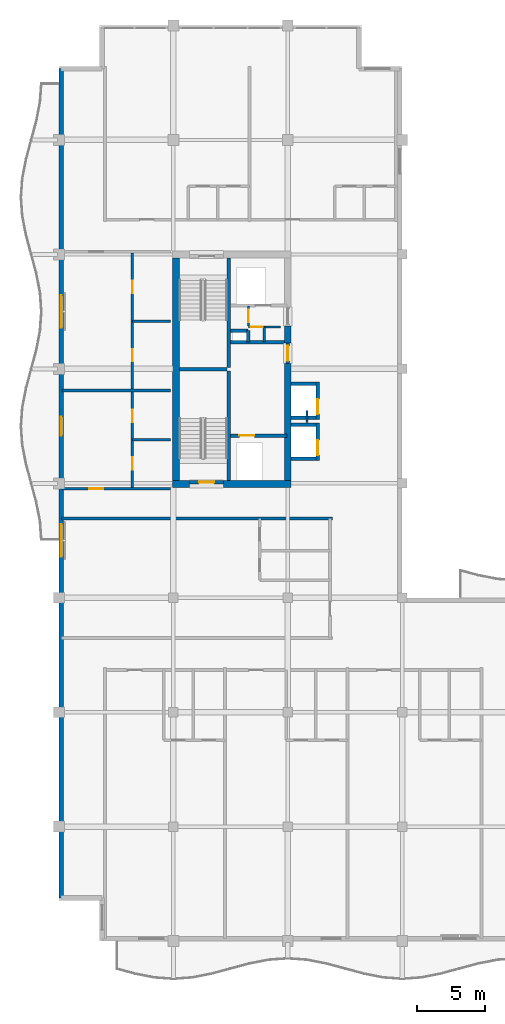
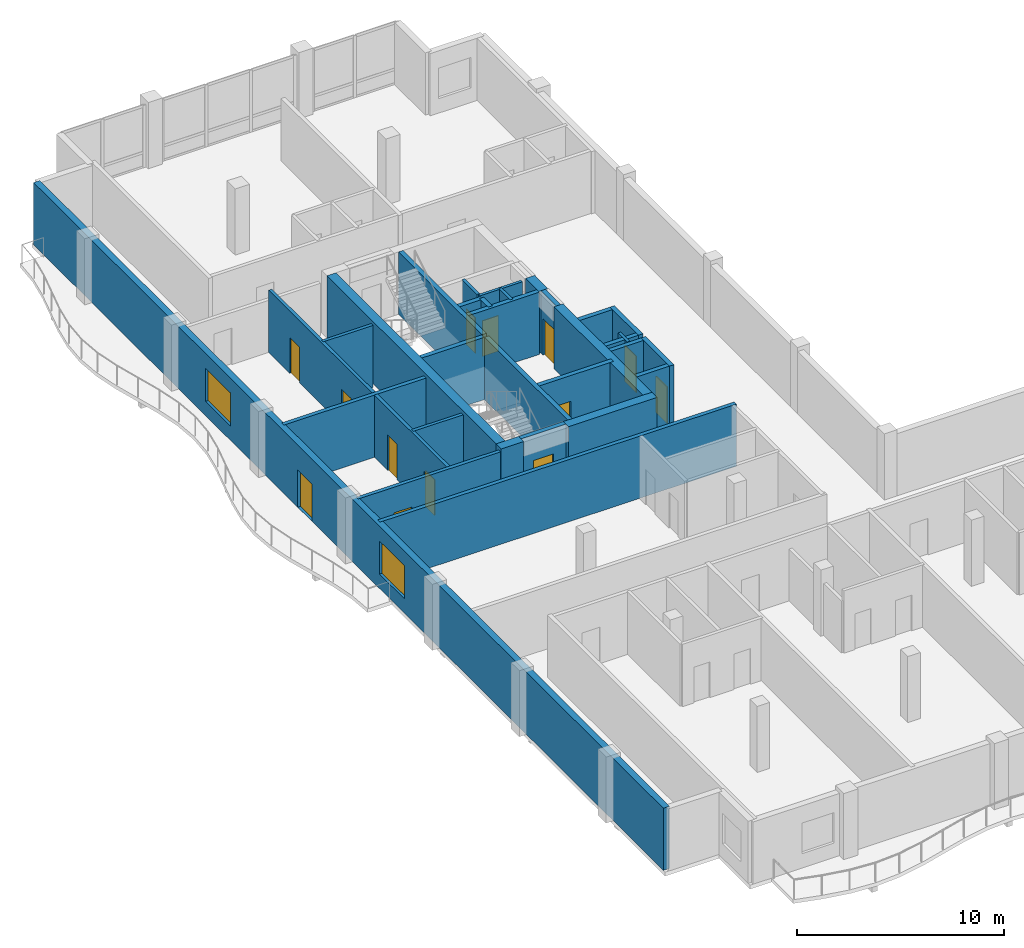
# One storey, part 8 of 15: 32 walls, 13 doors, 2 windows, 15 openings.
"""IFC4 building model written with IfcOpenShell, lengths in metres."""

import ifcopenshell
import ifcopenshell.guid

model = None  # the IFC model being written
_history = None  # IfcOwnerHistory: only IFC2X3 demands one
_inside = {}  # id of a spatial element -> (the spatial element, [elements in it])
_under = {}  # id of a project, library or spatial element -> (it, [spatial elements below it])
_declared = {}  # id of a project -> (the project, [libraries it declares])
_typed = {}  # id of a type object -> (the type object, [elements of that type])
_made_of = {}  # id of a material, layer set ... -> (it, [elements and type objects made of it])


def new_model(schema):
    """Start an empty IFC model of exactly this schema.

    Asked for "IFC4X3", IfcOpenShell would pick the latest addendum, in which some entities
    have other attributes; the version numbers below select the first issue.
    IFC2X3 requires an IfcOwnerHistory on every rooted entity: one is made here for all.
    """
    global model, _history
    if schema == "IFC4X3":
        model = ifcopenshell.file(schema_version=(4, 3, 0, 0))
    else:
        model = ifcopenshell.file(schema=schema)
    _inside.clear()
    _under.clear()
    _declared.clear()
    _typed.clear()
    _made_of.clear()
    _history = None
    if model.schema == "IFC2X3":
        org = make("IfcOrganization", Name="unknown")
        user = make(
            "IfcPersonAndOrganization",
            ThePerson=make("IfcPerson", FamilyName="unknown"),
            TheOrganization=org,
        )
        app = make(
            "IfcApplication",
            ApplicationDeveloper=org,
            Version="unknown",
            ApplicationFullName="unknown",
            ApplicationIdentifier="unknown",
        )
        _history = make(
            "IfcOwnerHistory",
            OwningUser=user,
            OwningApplication=app,
            ChangeAction="ADDED",
            CreationDate=0,
        )
    return model


def make(cls, **values):
    """One entity of the class cls with the attributes given. An attribute that is None is left unset."""
    return model.create_entity(
        cls, **{name: value for name, value in values.items() if value is not None}
    )


def rooted(cls, **values):
    """An entity with a GlobalId (a new one), such as an element, a storey or a relation."""
    return make(cls, GlobalId=ifcopenshell.guid.new(), OwnerHistory=_history, **values)


def si_unit(unit_type, name, prefix=None):
    """IfcSIUnit, for example si_unit("LENGTHUNIT", "METRE", prefix="MILLI")."""
    return make("IfcSIUnit", UnitType=unit_type, Prefix=prefix, Name=name)


def assignment(units):
    """IfcUnitAssignment: the units of a project."""
    return None if units is None else make("IfcUnitAssignment", Units=units)


def point(xyz):
    """IfcCartesianPoint."""
    return None if xyz is None else make("IfcCartesianPoint", Coordinates=xyz)


def direction(xyz):
    """IfcDirection."""
    return None if xyz is None else make("IfcDirection", DirectionRatios=xyz)


def frame(location, z_axis=None, x_axis=None):
    """IfcAxis2Placement3D, a coordinate frame: its origin and axes. An axis left out is left unset."""
    return make(
        "IfcAxis2Placement3D",
        Location=point(location),
        Axis=direction(z_axis),
        RefDirection=direction(x_axis),
    )


def frame_2d(location, x_axis=None):
    """IfcAxis2Placement2D, a coordinate frame in the plane: its origin and x axis."""
    return make(
        "IfcAxis2Placement2D", Location=point(location), RefDirection=direction(x_axis)
    )


def origin():
    """The frame at (0, 0, 0) with its axes left unset."""
    return frame((0.0, 0.0, 0.0))


def place(relative_to, where):
    """IfcLocalPlacement: puts the frame where relative to a parent placement (None: the world)."""
    return make(
        "IfcLocalPlacement", PlacementRelTo=relative_to, RelativePlacement=where
    )


def context(
    kind, dimensions, precision=None, world=None, true_north=None, identifier=None
):
    """IfcGeometricRepresentationContext, for example the 3D "Model" context."""
    return make(
        "IfcGeometricRepresentationContext",
        ContextIdentifier=identifier,
        ContextType=kind,
        CoordinateSpaceDimension=dimensions,
        Precision=precision,
        WorldCoordinateSystem=world,
        TrueNorth=true_north,
    )


def subcontext(parent, identifier, kind, view, scale=None):
    """IfcGeometricRepresentationSubContext, for example "Body" below "Model"."""
    return make(
        "IfcGeometricRepresentationSubContext",
        ContextIdentifier=identifier,
        ContextType=kind,
        ParentContext=parent,
        TargetScale=scale,
        TargetView=view,
    )


def project(units=None, contexts=None):
    """IfcProject with its units and contexts."""
    return rooted(
        "IfcProject",
        Name="project",
        RepresentationContexts=contexts,
        UnitsInContext=assignment(units),
    )


def spatial(cls, under=None, at=None, **own):
    """A site, building, storey or space (cls), placed at a placement, below another one or the project."""
    s = rooted(cls, ObjectPlacement=at, **own)
    if under is not None:
        _under.setdefault(under.id(), (under, []))[1].append(s)
    return s


def profile(cls, at=None, kind="AREA", **sizes):
    """A parametric profile (cls). Its sizes go by their IFC names, for example OverallWidth=200.0."""
    return make(cls, ProfileType=kind, Position=at, **sizes)


def rectangle(**sizes):
    """IfcRectangleProfileDef."""
    return profile("IfcRectangleProfileDef", **sizes)


def extrude(swept, where, along, depth):
    """IfcExtrudedAreaSolid: the profile swept, set in the frame where, extruded along a direction by depth."""
    return make(
        "IfcExtrudedAreaSolid",
        SweptArea=swept,
        Position=where,
        ExtrudedDirection=direction(along),
        Depth=depth,
    )


def shape(context_of_items, identifier, shape_type, items):
    """IfcShapeRepresentation: the items that make up one representation, for example the "Body"."""
    return make(
        "IfcShapeRepresentation",
        ContextOfItems=context_of_items,
        RepresentationIdentifier=identifier,
        RepresentationType=shape_type,
        Items=items,
    )


def material(Name=None, Category=None):
    """IfcMaterial."""
    return make("IfcMaterial", Name=Name, Category=Category)


def layer(
    of_material, thickness, ventilated=None, Name=None, Category=None, Priority=None
):
    """IfcMaterialLayer: one layer of a wall or slab, of a material (None: an air gap)."""
    return make(
        "IfcMaterialLayer",
        Material=of_material,
        LayerThickness=thickness,
        IsVentilated=ventilated,
        Name=Name,
        Category=Category,
        Priority=Priority,
    )


def layer_set(layers, Name=None):
    """IfcMaterialLayerSet."""
    return make("IfcMaterialLayerSet", MaterialLayers=layers, LayerSetName=Name)


def made_of(thing, what):
    """Note that an element or type object is made of a material, layer set ...; save() writes the relation."""
    if what is not None:
        _made_of.setdefault(what.id(), (what, []))[1].append(thing)
    return thing


def type_object(cls, material=None, **own):
    """A type object (cls), such as IfcWallType, which elements share."""
    return made_of(rooted(cls, **own), material)


def element(
    cls,
    number,
    at=None,
    inside=None,
    cuts=None,
    type_object=None,
    material=None,
    context=None,
    identifier="Body",
    shape_type=None,
    held_by="IfcProductDefinitionShape",
    body=None,
    shapes=None,
    **own,
):
    """One element of the class cls, such as IfcWall. Its Tag is "e" and its number.

    at: its placement. inside: the storey or other place that contains it. cuts: it is an
    opening in that element (IfcRelVoidsElement). A single representation is given by context,
    identifier, shape_type and body (its items); several are given by shapes. held_by: the class
    of the entity that holds the representations. save() writes the other relations.
    """
    e = rooted(cls, Tag="e%d" % number, ObjectPlacement=at, **own)
    if body is not None:
        shapes = [shape(context, identifier, shape_type, body)]
    if shapes is not None:
        e.Representation = make(held_by, Representations=shapes)
    if inside is not None:
        _inside.setdefault(inside.id(), (inside, []))[1].append(e)
    if cuts is not None:
        rooted(
            "IfcRelVoidsElement", RelatingBuildingElement=cuts, RelatedOpeningElement=e
        )
    if type_object is not None:
        _typed.setdefault(type_object.id(), (type_object, []))[1].append(e)
    return made_of(e, material)


def fill(opening, filler):
    """IfcRelFillsElement: the door or window that sits in an opening."""
    return rooted(
        "IfcRelFillsElement",
        RelatingOpeningElement=opening,
        RelatedBuildingElement=filler,
    )


def aggregate(whole, parts):
    """IfcRelAggregates: a whole, such as a stair, and the parts it consists of."""
    return rooted("IfcRelAggregates", RelatingObject=whole, RelatedObjects=parts)


def save(model, path):
    """Write the relations noted so far, then the file.

    IfcRelAggregates (storeys below a building ...), IfcRelContainedInSpatialStructure (elements
    in a storey), IfcRelDefinesByType, IfcRelAssociatesMaterial and IfcRelDeclares: one each for
    every whole, place, type object, material and project.
    """
    for whole, parts in _under.values():
        aggregate(whole, parts)
    for where, things in _inside.values():
        rooted(
            "IfcRelContainedInSpatialStructure",
            RelatedElements=things,
            RelatingStructure=where,
        )
    for kind, things in _typed.values():
        rooted("IfcRelDefinesByType", RelatedObjects=things, RelatingType=kind)
    for what, things in _made_of.values():
        rooted("IfcRelAssociatesMaterial", RelatedObjects=things, RelatingMaterial=what)
    for by, libraries in _declared.values():
        rooted("IfcRelDeclares", RelatingContext=by, RelatedDefinitions=libraries)
    model.write(path)


model = new_model("IFC4")

# Units and contexts
model_context = context("Model", 3, precision=1e-05, world=origin(), true_north=direction((0.0, 1.0)))
body_context = subcontext(model_context, "Body", "Model", "MODEL_VIEW")
ifc_project = project(units=[si_unit("LENGTHUNIT", "METRE"), si_unit("AREAUNIT", "SQUARE_METRE"), si_unit("VOLUMEUNIT", "CUBIC_METRE"), si_unit("PLANEANGLEUNIT", "RADIAN"), si_unit("MASSUNIT", "GRAM", prefix="KILO")], contexts=[model_context])

# Site, building, storey
site_placement = place(None, origin())
site = spatial("IfcSite", under=ifc_project, at=site_placement, CompositionType="ELEMENT")
building_placement = place(site_placement, origin())
building = spatial("IfcBuilding", under=site, at=building_placement, Name="Koriwani Terraces Tower", CompositionType="ELEMENT")
storey_placement = place(building_placement, frame((0.0, 0.0, 300.800048828125)))
storey = spatial("IfcBuildingStorey", under=building, at=storey_placement, Name="L74", CompositionType="ELEMENT", Elevation=300.800048828125)

# Walls
ifc_material_1 = material(Name="Concrete C50/60", Category="concrete")
ifc_layer_1 = layer(ifc_material_1, 0.5, Name="Concrete C50/60")
ifc_layer_set_1 = layer_set([ifc_layer_1], Name="Concrete C50/60")
wall_type_1 = type_object("IfcWallType", Name="WALL_CORE_RC_500", PredefinedType="SHEAR", material=ifc_layer_set_1)
wall_1_placement = place(storey_placement, frame((16.75, 41.949951171875, 0.0), z_axis=(0.0, 0.0, 1.0), x_axis=(1.0, 0.0, 0.0)))
element("IfcWall", 1, at=wall_1_placement, inside=storey, type_object=wall_type_1, Name="L74 West Split Core Shear Wall S1", PredefinedType="SHEAR", context=body_context, shape_type="SweptSolid", body=[
    extrude(rectangle(XDim=1.25, YDim=0.5, at=frame_2d((0.625, 0.0))), origin(), (0.0, 0.0, 1.0), 3.669921875),
])
wall_2_placement = place(storey_placement, frame((20.5, 41.949951171875, 0.0), z_axis=(0.0, 0.0, 1.0), x_axis=(1.0, 0.0, 0.0)))
element("IfcWall", 2, at=wall_2_placement, inside=storey, type_object=wall_type_1, Name="L74 West Split Core Shear Wall S2", PredefinedType="SHEAR", context=body_context, shape_type="SweptSolid", body=[
    extrude(rectangle(XDim=4.949951171875, YDim=0.5, at=frame_2d((2.47509765625, 0.0))), origin(), (0.0, 0.0, 1.0), 3.669921875),
])
wall_3_placement = place(storey_placement, frame((17.0, 42.199951171875, 0.0), z_axis=(0.0, 0.0, 1.0), x_axis=(0.0, 1.0, 0.0)))
element("IfcWall", 3, at=wall_3_placement, inside=storey, type_object=wall_type_1, Name="L74 West Split Core Shear Wall W1", PredefinedType="SHEAR", context=body_context, shape_type="SweptSolid", body=[
    extrude(rectangle(XDim=16.35009765625, YDim=0.5, at=frame_2d((8.175048828125, 0.0))), origin(), (0.0, 0.0, 1.0), 3.669921875),
])
wall_4_placement = place(storey_placement, frame((25.199951171875, 42.199951171875, 0.0), z_axis=(0.0, 0.0, 1.0), x_axis=(0.0, 1.0, 0.0)))
element("IfcWall", 4, at=wall_4_placement, inside=storey, type_object=wall_type_1, Name="L74 West Split Core Shear Wall E1", PredefinedType="SHEAR", context=body_context, shape_type="SweptSolid", body=[
    extrude(rectangle(XDim=8.60009765625, YDim=0.5, at=frame_2d((4.300048828125, 0.0))), origin(), (0.0, 0.0, 1.0), 3.669921875),
])
wall_5_placement = place(storey_placement, frame((25.199951171875, 52.280029296875, 0.0), z_axis=(0.0, 0.0, 1.0), x_axis=(0.0, 1.0, 0.0)))
element("IfcWall", 5, at=wall_5_placement, inside=storey, type_object=wall_type_1, Name="L74 West Split Core Shear Wall E2", PredefinedType="SHEAR", context=body_context, shape_type="SweptSolid", body=[
    extrude(rectangle(XDim=1.27001953125, YDim=0.5, at=frame_2d((0.635009765625, 0.0))), origin(), (0.0, 0.0, 1.0), 3.669921875),
])

# Wall, opening, door
ifc_material_2 = material(Name="Autoclaved Cellular Concrete Blockwork", Category="masonry")
ifc_layer_2 = layer(ifc_material_2, 0.199951171875, Name="Autoclaved Cellular Concrete Blockwork")
ifc_layer_set_2 = layer_set([ifc_layer_2], Name="Autoclaved Cellular Concrete Blockwork")
wall_type_2 = type_object("IfcWallType", Name="WALL_CORRIDOR_200", PredefinedType="PARTITIONING", material=ifc_layer_set_2)
wall_6_placement = place(storey_placement, frame((8.64990234375, 41.60009765625, 0.0), z_axis=(0.0, 0.0, 1.0), x_axis=(1.0, 0.0, 0.0)))
wall_6 = element("IfcWall", 6, at=wall_6_placement, inside=storey, type_object=wall_type_2, Name="L74 Interior Wall WRZ4-WS-L74", PredefinedType="PARTITIONING", context=body_context, shape_type="SweptSolid", body=[
    extrude(rectangle(XDim=7.9501953125, YDim=0.199951171875, at=frame_2d((3.97509765625, 0.0))), origin(), (0.0, 0.0, 1.0), 3.669921875),
])
opening_1_placement = place(wall_6_placement, frame((2.0, 0.0, 0.0)))
opening_1 = element("IfcOpeningElement", 7, at=opening_1_placement, cuts=wall_6, Name="Opening D-05", PredefinedType="OPENING", context=body_context, shape_type="SweptSolid", body=[
    extrude(rectangle(XDim=1.0, YDim=2.14990234375, at=frame_2d((0.5, 1.074951171875))), frame((0.0, 0.10986328125, 0.0), z_axis=(0.0, -1.0, 0.0), x_axis=(1.0, 0.0, 0.0)), (0.0, 0.0, 1.0), 0.219970703125),
])
ifc_material_3 = material(Name="Architectural Oak Fire Door", Category="wood")
door_type_1 = type_object("IfcDoorType", Name="DOOR_SUITE_ENTRY_1000X2150", OperationType="NOTDEFINED", PredefinedType="DOOR", material=ifc_material_3)
door_1_placement = place(opening_1_placement, origin())
door_1 = element("IfcDoor", 8, at=door_1_placement, inside=storey, type_object=door_type_1, Name="Apartment 74RW1 Entrance Door", OperationType="SINGLE_SWING_RIGHT", OverallHeight=2.14990234375, OverallWidth=1.0, PredefinedType="DOOR", context=body_context, shape_type="SweptSolid", body=[
    extrude(rectangle(XDim=1.0, YDim=2.14990234375, at=frame_2d((0.5, 1.074951171875))), frame((0.0, 0.02490234375, 0.0), z_axis=(0.0, -1.0, 0.0), x_axis=(1.0, 0.0, 0.0)), (0.0, 0.0, 1.0), 0.050048828125),
])
fill(opening_1, door_1)

# Walls
ifc_layer_3 = layer(ifc_material_2, 0.219970703125, Name="Autoclaved Cellular Concrete Blockwork")
ifc_layer_set_3 = layer_set([ifc_layer_3], Name="Autoclaved Cellular Concrete Blockwork")
wall_type_3 = type_object("IfcWallType", Name="WALL_DEMISING_220", PredefinedType="PARTITIONING", material=ifc_layer_set_3)
wall_7_placement = place(storey_placement, frame((8.64990234375, 48.800048828125, 0.0), z_axis=(0.0, 0.0, 1.0), x_axis=(1.0, 0.0, 0.0)))
element("IfcWall", 9, at=wall_7_placement, inside=storey, type_object=wall_type_3, Name="L74 Interior Wall WRZ4-WM-L74", PredefinedType="PARTITIONING", context=body_context, shape_type="SweptSolid", body=[
    extrude(rectangle(XDim=7.9501953125, YDim=0.219970703125, at=frame_2d((3.97509765625, 0.0))), origin(), (0.0, 0.0, 1.0), 3.669921875),
])
wall_8_placement = place(storey_placement, frame((8.60009765625, 39.39990234375, 0.0), z_axis=(0.0, 0.0, 1.0), x_axis=(1.0, 0.0, 0.0)))
element("IfcWall", 10, at=wall_8_placement, inside=storey, type_object=wall_type_3, Name="L74 Interior Wall WRDEME-L74-NE", PredefinedType="PARTITIONING", context=body_context, shape_type="SweptSolid", body=[
    extrude(rectangle(XDim=19.8798828125, YDim=0.219970703125, at=frame_2d((9.93994140625, 0.0))), origin(), (0.0, 0.0, 1.0), 3.669921875),
])

# Wall, openings, door, windows
ifc_layer_4 = layer(ifc_material_1, 0.35009765625, Name="Concrete C50/60")
ifc_layer_set_4 = layer_set([ifc_layer_4], Name="Concrete C50/60")
wall_type_4 = type_object("IfcWallType", Name="WALL_EXT_BRUTALIST_350", PredefinedType="STANDARD", material=ifc_layer_set_4)
wall_9_placement = place(storey_placement, frame((8.574951171875, 11.574951171875, 0.0), z_axis=(0.0, 0.0, 1.0), x_axis=(0.0, 1.0, 0.0)))
wall_9 = element("IfcWall", 11, at=wall_9_placement, inside=storey, type_object=wall_type_4, Name="L74 Fair-Faced Brutalist Exterior Wall (W)", PredefinedType="STANDARD", context=body_context, shape_type="SweptSolid", body=[
    extrude(rectangle(XDim=60.85009765625, YDim=0.35009765625, at=frame_2d((30.425048828125, 0.0))), origin(), (0.0, 0.0, 1.0), 3.669921875),
])
opening_2_placement = place(wall_9_placement, frame((33.925048828125, 0.0, 0.0)))
opening_2 = element("IfcOpeningElement", 12, at=opening_2_placement, cuts=wall_9, Name="Opening D-09", PredefinedType="OPENING", context=body_context, shape_type="SweptSolid", body=[
    extrude(rectangle(XDim=1.39990234375, YDim=2.199951171875, at=frame_2d((0.699951171875, 1.10009765625))), frame((0.0, 0.18505859375, 0.0), z_axis=(0.0, -1.0, 0.0), x_axis=(1.0, 0.0, 0.0)), (0.0, 0.0, 1.0), 0.3701171875),
])
opening_3_placement = place(wall_9_placement, frame((25.02490234375, 0.0, 0.85009765625)))
opening_3 = element("IfcOpeningElement", 13, at=opening_3_placement, cuts=wall_9, Name="Opening W-03", PredefinedType="OPENING", context=body_context, shape_type="SweptSolid", body=[
    extrude(rectangle(XDim=2.39990234375, YDim=1.949951171875, at=frame_2d((1.199951171875, 0.97509765625))), frame((0.0, 0.18505859375, 0.0), z_axis=(0.0, -1.0, 0.0), x_axis=(1.0, 0.0, 0.0)), (0.0, 0.0, 1.0), 0.3701171875),
])
opening_4_placement = place(wall_9_placement, frame((41.824951171875, 0.0, 0.85009765625)))
opening_4 = element("IfcOpeningElement", 14, at=opening_4_placement, cuts=wall_9, Name="Opening W-03", PredefinedType="OPENING", context=body_context, shape_type="SweptSolid", body=[
    extrude(rectangle(XDim=2.39990234375, YDim=1.949951171875, at=frame_2d((1.199951171875, 0.97509765625))), frame((0.0, 0.18505859375, 0.0), z_axis=(0.0, -1.0, 0.0), x_axis=(1.0, 0.0, 0.0)), (0.0, 0.0, 1.0), 0.3701171875),
])
ifc_material_4 = material(Name="Anodised Bronze Aluminium", Category="aluminium")
door_type_2 = type_object("IfcDoorType", Name="DOOR_BALCONY_GLAZED_1400X2200", OperationType="NOTDEFINED", PredefinedType="DOOR", material=ifc_material_4)
door_2_placement = place(opening_2_placement, origin())
door_2 = element("IfcDoor", 15, at=door_2_placement, inside=storey, type_object=door_type_2, Name="L74 West Balcony Glazed Door", OperationType="SINGLE_SWING_LEFT", OverallHeight=2.199951171875, OverallWidth=1.39990234375, PredefinedType="DOOR", context=body_context, shape_type="SweptSolid", body=[
    extrude(rectangle(XDim=1.39990234375, YDim=2.199951171875, at=frame_2d((0.699951171875, 1.10009765625))), frame((0.0, 0.02490234375, 0.0), z_axis=(0.0, -1.0, 0.0), x_axis=(1.0, 0.0, 0.0)), (0.0, 0.0, 1.0), 0.050048828125),
])
fill(opening_2, door_2)
ifc_material_5 = material(Name="Tempered Laminated Low-E Glass", Category="glass")
window_type = type_object("IfcWindowType", Name="WIN_RES_LIVING_2400X1950", PartitioningType="DOUBLE_PANEL_VERTICAL", PredefinedType="WINDOW", material=ifc_material_5)
window_1_placement = place(opening_3_placement, origin())
window_1 = element("IfcWindow", 16, at=window_1_placement, inside=storey, type_object=window_type, Name="L74 Exterior Window (W-9)", OverallHeight=1.949951171875, OverallWidth=2.39990234375, PartitioningType="SINGLE_PANEL", PredefinedType="WINDOW", context=body_context, shape_type="SweptSolid", body=[
    extrude(rectangle(XDim=2.39990234375, YDim=1.949951171875, at=frame_2d((1.199951171875, 0.97509765625))), frame((0.0, 0.030029296875, 0.0), z_axis=(0.0, -1.0, 0.0), x_axis=(1.0, 0.0, 0.0)), (0.0, 0.0, 1.0), 0.06005859375),
])
fill(opening_3, window_1)
window_2_placement = place(opening_4_placement, origin())
window_2 = element("IfcWindow", 17, at=window_2_placement, inside=storey, type_object=window_type, Name="L74 Exterior Window (W-15)", OverallHeight=1.949951171875, OverallWidth=2.39990234375, PartitioningType="SINGLE_PANEL", PredefinedType="WINDOW", context=body_context, shape_type="SweptSolid", body=[
    extrude(rectangle(XDim=2.39990234375, YDim=1.949951171875, at=frame_2d((1.199951171875, 0.97509765625))), frame((0.0, 0.030029296875, 0.0), z_axis=(0.0, -1.0, 0.0), x_axis=(1.0, 0.0, 0.0)), (0.0, 0.0, 1.0), 0.06005859375),
])
fill(opening_4, window_2)

# Wall, openings, doors
ifc_material_6 = material(Name="Fire-Rated Acoustic Gypsum Partition", Category="masonry")
ifc_layer_5 = layer(ifc_material_6, 0.179931640625, Name="Fire-Rated Acoustic Gypsum Partition")
ifc_layer_set_5 = layer_set([ifc_layer_5], Name="Fire-Rated Acoustic Gypsum Partition")
wall_type_5 = type_object("IfcWallType", Name="WALL_PLUMBING_180", PredefinedType="PLUMBINGWALL", material=ifc_layer_set_5)
wall_10_placement = place(storey_placement, frame((13.800048828125, 41.699951171875, 0.0), z_axis=(0.0, 0.0, 1.0), x_axis=(0.0, 1.0, 0.0)))
wall_10 = element("IfcWall", 18, at=wall_10_placement, inside=storey, type_object=wall_type_5, Name="L74 Interior Wall WRZ4-RW1-PB-L74", PredefinedType="PLUMBINGWALL", context=body_context, shape_type="SweptSolid", body=[
    extrude(rectangle(XDim=7.0, YDim=0.179931640625, at=frame_2d((3.5, 0.0))), origin(), (0.0, 0.0, 1.0), 3.669921875),
])
opening_5_placement = place(wall_10_placement, frame((1.300048828125, 0.0, 0.0)))
opening_5 = element("IfcOpeningElement", 19, at=opening_5_placement, cuts=wall_10, Name="Opening D-07", PredefinedType="OPENING", context=body_context, shape_type="SweptSolid", body=[
    extrude(rectangle(XDim=0.89990234375, YDim=2.10009765625, at=frame_2d((0.449951171875, 1.050048828125))), frame((0.0, 0.10009765625, 0.0), z_axis=(0.0, -1.0, 0.0), x_axis=(1.0, 0.0, 0.0)), (0.0, 0.0, 1.0), 0.199951171875),
])
opening_6_placement = place(wall_10_placement, frame((4.7900390625, 0.0, 0.0)))
opening_6 = element("IfcOpeningElement", 20, at=opening_6_placement, cuts=wall_10, Name="Opening D-06", PredefinedType="OPENING", context=body_context, shape_type="SweptSolid", body=[
    extrude(rectangle(XDim=0.919921875, YDim=2.10009765625, at=frame_2d((0.4599609375, 1.050048828125))), frame((0.0, 0.10009765625, 0.0), z_axis=(0.0, -1.0, 0.0), x_axis=(1.0, 0.0, 0.0)), (0.0, 0.0, 1.0), 0.199951171875),
])
door_type_3 = type_object("IfcDoorType", Name="DOOR_BATH_INT_900X2100", OperationType="NOTDEFINED", PredefinedType="DOOR", material=ifc_material_3)
door_3_placement = place(opening_5_placement, origin())
door_3 = element("IfcDoor", 21, at=door_3_placement, inside=storey, type_object=door_type_3, Name="Apartment 74RW1 Bathroom Door", OperationType="SINGLE_SWING_RIGHT", OverallHeight=2.10009765625, OverallWidth=0.89990234375, PredefinedType="DOOR", context=body_context, shape_type="SweptSolid", body=[
    extrude(rectangle(XDim=0.89990234375, YDim=2.10009765625, at=frame_2d((0.449951171875, 1.050048828125))), frame((0.0, 0.02490234375, 0.0), z_axis=(0.0, -1.0, 0.0), x_axis=(1.0, 0.0, 0.0)), (0.0, 0.0, 1.0), 0.050048828125),
])
fill(opening_5, door_3)
door_type_4 = type_object("IfcDoorType", Name="DOOR_ROOM_INT_920X2100", OperationType="NOTDEFINED", PredefinedType="DOOR", material=ifc_material_3)
door_4_placement = place(opening_6_placement, origin())
door_4 = element("IfcDoor", 22, at=door_4_placement, inside=storey, type_object=door_type_4, Name="Apartment 74RW1 Kitchen Door", OperationType="SINGLE_SWING_LEFT", OverallHeight=2.10009765625, OverallWidth=0.919921875, PredefinedType="DOOR", context=body_context, shape_type="SweptSolid", body=[
    extrude(rectangle(XDim=0.919921875, YDim=2.10009765625, at=frame_2d((0.4599609375, 1.050048828125))), frame((0.0, 0.02490234375, 0.0), z_axis=(0.0, -1.0, 0.0), x_axis=(1.0, 0.0, 0.0)), (0.0, 0.0, 1.0), 0.050048828125),
])
fill(opening_6, door_4)

# Wall
wall_11_placement = place(storey_placement, frame((13.800048828125, 45.199951171875, 0.0), z_axis=(0.0, 0.0, 1.0), x_axis=(1.0, 0.0, 0.0)))
element("IfcWall", 23, at=wall_11_placement, inside=storey, type_object=wall_type_5, Name="L74 Interior Wall WRZ4-RW1-P2-L74", PredefinedType="PLUMBINGWALL", context=body_context, shape_type="SweptSolid", body=[
    extrude(rectangle(XDim=2.800048828125, YDim=0.179931640625, at=frame_2d((1.39990234375, 0.0))), origin(), (0.0, 0.0, 1.0), 3.669921875),
])

# Wall, openings, doors
wall_12_placement = place(storey_placement, frame((13.800048828125, 48.89990234375, 0.0), z_axis=(0.0, 0.0, 1.0), x_axis=(0.0, 1.0, 0.0)))
wall_12 = element("IfcWall", 24, at=wall_12_placement, inside=storey, type_object=wall_type_5, Name="L74 Interior Wall WRZ4-RW2-PB-L74", PredefinedType="PLUMBINGWALL", context=body_context, shape_type="SweptSolid", body=[
    extrude(rectangle(XDim=10.0, YDim=0.179931640625, at=frame_2d((5.0, 0.0))), origin(), (0.0, 0.0, 1.0), 3.669921875),
])
opening_7_placement = place(wall_12_placement, frame((2.050048828125, 0.0, 0.0)))
opening_7 = element("IfcOpeningElement", 25, at=opening_7_placement, cuts=wall_12, Name="Opening D-07", PredefinedType="OPENING", context=body_context, shape_type="SweptSolid", body=[
    extrude(rectangle(XDim=0.89990234375, YDim=2.10009765625, at=frame_2d((0.449951171875, 1.050048828125))), frame((0.0, 0.10009765625, 0.0), z_axis=(0.0, -1.0, 0.0), x_axis=(1.0, 0.0, 0.0)), (0.0, 0.0, 1.0), 0.199951171875),
])
opening_8_placement = place(wall_12_placement, frame((7.0400390625, 0.0, 0.0)))
opening_8 = element("IfcOpeningElement", 26, at=opening_8_placement, cuts=wall_12, Name="Opening D-06", PredefinedType="OPENING", context=body_context, shape_type="SweptSolid", body=[
    extrude(rectangle(XDim=0.919921875, YDim=2.10009765625, at=frame_2d((0.4599609375, 1.050048828125))), frame((0.0, 0.10009765625, 0.0), z_axis=(0.0, -1.0, 0.0), x_axis=(1.0, 0.0, 0.0)), (0.0, 0.0, 1.0), 0.199951171875),
])
door_5_placement = place(opening_7_placement, origin())
door_5 = element("IfcDoor", 27, at=door_5_placement, inside=storey, type_object=door_type_3, Name="Apartment 74RW2 Bathroom Door", OperationType="SINGLE_SWING_RIGHT", OverallHeight=2.10009765625, OverallWidth=0.89990234375, PredefinedType="DOOR", context=body_context, shape_type="SweptSolid", body=[
    extrude(rectangle(XDim=0.89990234375, YDim=2.10009765625, at=frame_2d((0.449951171875, 1.050048828125))), frame((0.0, 0.02490234375, 0.0), z_axis=(0.0, -1.0, 0.0), x_axis=(1.0, 0.0, 0.0)), (0.0, 0.0, 1.0), 0.050048828125),
])
fill(opening_7, door_5)
door_6_placement = place(opening_8_placement, origin())
door_6 = element("IfcDoor", 28, at=door_6_placement, inside=storey, type_object=door_type_4, Name="Apartment 74RW2 Kitchen Door", OperationType="SINGLE_SWING_LEFT", OverallHeight=2.10009765625, OverallWidth=0.919921875, PredefinedType="DOOR", context=body_context, shape_type="SweptSolid", body=[
    extrude(rectangle(XDim=0.919921875, YDim=2.10009765625, at=frame_2d((0.4599609375, 1.050048828125))), frame((0.0, 0.02490234375, 0.0), z_axis=(0.0, -1.0, 0.0), x_axis=(1.0, 0.0, 0.0)), (0.0, 0.0, 1.0), 0.050048828125),
])
fill(opening_8, door_6)

# Walls
wall_13_placement = place(storey_placement, frame((13.800048828125, 53.89990234375, 0.0), z_axis=(0.0, 0.0, 1.0), x_axis=(1.0, 0.0, 0.0)))
element("IfcWall", 29, at=wall_13_placement, inside=storey, type_object=wall_type_5, Name="L74 Interior Wall WRZ4-RW2-P2-L74", PredefinedType="PLUMBINGWALL", context=body_context, shape_type="SweptSolid", body=[
    extrude(rectangle(XDim=2.800048828125, YDim=0.179931640625, at=frame_2d((1.39990234375, 0.0))), origin(), (0.0, 0.0, 1.0), 3.669921875),
])
ifc_material_7 = material(Name="Concrete C40/50", Category="concrete")
ifc_layer_6 = layer(ifc_material_7, 0.25, Name="Concrete C40/50")
ifc_layer_set_6 = layer_set([ifc_layer_6], Name="Concrete C40/50")
wall_type_6 = type_object("IfcWallType", Name="WALL_SHAFT_RATED_250", PredefinedType="SOLIDWALL", material=ifc_layer_set_6)
for number, where, z_axis, x_axis, name in (
    (30, (20.875, 42.199951171875, 0.0), (0.0, 0.0, 1.0), (0.0, 1.0, 0.0), "L74 West Split Core Web Wall MID1"),
    (31, (20.875, 50.5, 0.0), (0.0, 0.0, 1.0), (0.0, 1.0, 0.0), "L74 West Split Core Web Wall MID2"),
):
    element("IfcWall", number, at=place(storey_placement, frame(where, z_axis=z_axis, x_axis=x_axis)), inside=storey, type_object=wall_type_6, Name=name, PredefinedType="SOLIDWALL", context=body_context, shape_type="SweptSolid", body=[
        extrude(rectangle(XDim=8.050048828125, YDim=0.25, at=frame_2d((4.02490234375, 0.0))), origin(), (0.0, 0.0, 1.0), 3.669921875),
    ])
wall_14_placement = place(storey_placement, frame((17.25, 50.375, 0.0), z_axis=(0.0, 0.0, 1.0), x_axis=(1.0, 0.0, 0.0)))
element("IfcWall", 32, at=wall_14_placement, inside=storey, type_object=wall_type_6, Name="L74 West Split Core Stair Dividing Wall", PredefinedType="SOLIDWALL", context=body_context, shape_type="SweptSolid", body=[
    extrude(rectangle(XDim=3.5, YDim=0.25, at=frame_2d((1.75, 0.0))), origin(), (0.0, 0.0, 1.0), 3.669921875),
])

# Wall, opening, door
wall_15_placement = place(storey_placement, frame((18.0, 42.074951171875, 0.0), z_axis=(0.0, 0.0, 1.0), x_axis=(1.0, 0.0, 0.0)))
wall_15 = element("IfcWall", 33, at=wall_15_placement, inside=storey, type_object=wall_type_6, Name="L74 Interior Wall WIN-CW-L74-STS", PredefinedType="SOLIDWALL", context=body_context, shape_type="SweptSolid", body=[
    extrude(rectangle(XDim=2.5, YDim=0.25, at=frame_2d((1.25, 0.0))), origin(), (0.0, 0.0, 1.0), 3.669921875),
])
opening_9_placement = place(wall_15_placement, frame((0.699951171875, 0.0, 0.0)))
opening_9 = element("IfcOpeningElement", 34, at=opening_9_placement, cuts=wall_15, Name="Opening D-03", PredefinedType="OPENING", context=body_context, shape_type="SweptSolid", body=[
    extrude(rectangle(XDim=1.10009765625, YDim=2.14990234375, at=frame_2d((0.550048828125, 1.074951171875))), frame((0.0, 0.135009765625, 0.0), z_axis=(0.0, -1.0, 0.0), x_axis=(1.0, 0.0, 0.0)), (0.0, 0.0, 1.0), 0.27001953125),
])
ifc_material_8 = material(Name="Steel ASTM A572 Grade 50", Category="steel")
door_type_5 = type_object("IfcDoorType", Name="DOOR_STAIR_FIRE_1100X2150", OperationType="NOTDEFINED", PredefinedType="DOOR", material=ifc_material_8)
door_7_placement = place(opening_9_placement, origin())
door_7 = element("IfcDoor", 35, at=door_7_placement, inside=storey, type_object=door_type_5, Name="L74 Exit Stair ST-W1 Door", OperationType="SINGLE_SWING_RIGHT", OverallHeight=2.14990234375, OverallWidth=1.10009765625, PredefinedType="DOOR", context=body_context, shape_type="SweptSolid", body=[
    extrude(rectangle(XDim=1.10009765625, YDim=2.14990234375, at=frame_2d((0.550048828125, 1.074951171875))), frame((0.0, 0.02490234375, 0.0), z_axis=(0.0, -1.0, 0.0), x_axis=(1.0, 0.0, 0.0)), (0.0, 0.0, 1.0), 0.050048828125),
])
fill(opening_9, door_7)

wall_16_placement = place(storey_placement, frame((21.0, 45.5, 0.0), z_axis=(0.0, 0.0, 1.0), x_axis=(1.0, 0.0, 0.0)))
wall_16 = element("IfcWall", 36, at=wall_16_placement, inside=storey, type_object=wall_type_6, Name="L74 Interior Wall WIN-CW-L74-FE", PredefinedType="SOLIDWALL", context=body_context, shape_type="SweptSolid", body=[
    extrude(rectangle(XDim=4.14990234375, YDim=0.25, at=frame_2d((2.074951171875, 0.0))), origin(), (0.0, 0.0, 1.0), 3.669921875),
])
opening_10_placement = place(wall_16_placement, frame((0.64990234375, 0.0, 0.0)))
opening_10 = element("IfcOpeningElement", 37, at=opening_10_placement, cuts=wall_16, Name="Opening LD-01", PredefinedType="OPENING", context=body_context, shape_type="SweptSolid", body=[
    extrude(rectangle(XDim=1.10009765625, YDim=2.14990234375, at=frame_2d((0.550048828125, 1.074951171875))), frame((0.0, 0.135009765625, 0.0), z_axis=(0.0, -1.0, 0.0), x_axis=(1.0, 0.0, 0.0)), (0.0, 0.0, 1.0), 0.27001953125),
])
door_type_6 = type_object("IfcDoorType", Name="DOOR_LIFT_LANDING_1100X2200", OperationType="NOTDEFINED", PredefinedType="DOOR", material=ifc_material_8)
door_8_placement = place(opening_10_placement, origin())
door_8 = element("IfcDoor", 38, at=door_8_placement, inside=storey, type_object=door_type_6, Name="L74 Firefighting Lift FE-01 Landing Door", OperationType="SLIDING_TO_LEFT", OverallHeight=2.14990234375, OverallWidth=1.10009765625, PredefinedType="DOOR", context=body_context, shape_type="SweptSolid", body=[
    extrude(rectangle(XDim=1.10009765625, YDim=2.14990234375, at=frame_2d((0.550048828125, 1.074951171875))), frame((0.0, 0.02490234375, 0.0), z_axis=(0.0, -1.0, 0.0), x_axis=(1.0, 0.0, 0.0)), (0.0, 0.0, 1.0), 0.050048828125),
])
fill(opening_10, door_8)

wall_17_placement = place(storey_placement, frame((25.199951171875, 50.800048828125, 0.0), z_axis=(0.0, 0.0, 1.0), x_axis=(0.0, 1.0, 0.0)))
wall_17 = element("IfcWall", 39, at=wall_17_placement, inside=storey, type_object=wall_type_6, Name="L74 Interior Wall WIN-CW-L74-EP", PredefinedType="SOLIDWALL", context=body_context, shape_type="SweptSolid", body=[
    extrude(rectangle(XDim=1.47998046875, YDim=0.25, at=frame_2d((0.739990234375, 0.0))), origin(), (0.0, 0.0, 1.0), 3.669921875),
])
opening_11_placement = place(wall_17_placement, frame((0.179931640625, 0.0, 0.0)))
opening_11 = element("IfcOpeningElement", 40, at=opening_11_placement, cuts=wall_17, Name="Opening D-03", PredefinedType="OPENING", context=body_context, shape_type="SweptSolid", body=[
    extrude(rectangle(XDim=1.10009765625, YDim=2.14990234375, at=frame_2d((0.550048828125, 1.074951171875))), frame((0.0, 0.135009765625, 0.0), z_axis=(0.0, -1.0, 0.0), x_axis=(1.0, 0.0, 0.0)), (0.0, 0.0, 1.0), 0.27001953125),
])
door_9_placement = place(opening_11_placement, origin())
door_9 = element("IfcDoor", 41, at=door_9_placement, inside=storey, type_object=door_type_5, Name="L74 West Firefighting Lobby Door", OperationType="SINGLE_SWING_RIGHT", OverallHeight=2.14990234375, OverallWidth=1.10009765625, PredefinedType="DOOR", context=body_context, shape_type="SweptSolid", body=[
    extrude(rectangle(XDim=1.10009765625, YDim=2.14990234375, at=frame_2d((0.550048828125, 1.074951171875))), frame((0.0, 0.02490234375, 0.0), z_axis=(0.0, -1.0, 0.0), x_axis=(1.0, 0.0, 0.0)), (0.0, 0.0, 1.0), 0.050048828125),
])
fill(opening_11, door_9)

# Walls
wall_18_placement = place(storey_placement, frame((21.0, 52.340087890625, 0.0), z_axis=(0.0, 0.0, 1.0), x_axis=(1.0, 0.0, 0.0)))
element("IfcWall", 42, at=wall_18_placement, inside=storey, type_object=wall_type_6, Name="L74 Interior Wall WIN-CW-L74-FFN", PredefinedType="SOLIDWALL", context=body_context, shape_type="SweptSolid", body=[
    extrude(rectangle(XDim=3.949951171875, YDim=0.25, at=frame_2d((1.97509765625, 0.0))), origin(), (0.0, 0.0, 1.0), 3.669921875),
])
wall_19_placement = place(storey_placement, frame((21.0, 53.199951171875, 0.0), z_axis=(0.0, 0.0, 1.0), x_axis=(1.0, 0.0, 0.0)))
element("IfcWall", 43, at=wall_19_placement, inside=storey, type_object=wall_type_6, Name="L74 Interior Wall WIN-CW-L74-RS1", PredefinedType="SOLIDWALL", context=body_context, shape_type="SweptSolid", body=[
    extrude(rectangle(XDim=1.300048828125, YDim=0.25, at=frame_2d((0.64990234375, 0.0))), origin(), (0.0, 0.0, 1.0), 3.669921875),
])
wall_20_placement = place(storey_placement, frame((22.300048828125, 52.360107421875, 0.0), z_axis=(0.0, 0.0, 1.0), x_axis=(0.0, 1.0, 0.0)))
element("IfcWall", 44, at=wall_20_placement, inside=storey, type_object=wall_type_6, Name="L74 Interior Wall WIN-CW-L74-RS2", PredefinedType="SOLIDWALL", context=body_context, shape_type="SweptSolid", body=[
    extrude(rectangle(XDim=0.83984375, YDim=0.25, at=frame_2d((0.419921875, 0.0))), origin(), (0.0, 0.0, 1.0), 3.669921875),
])

# Wall, opening, door
wall_21_placement = place(storey_placement, frame((27.39990234375, 43.675048828125, 0.0), z_axis=(0.0, 0.0, 1.0), x_axis=(0.0, 1.0, 0.0)))
wall_21 = element("IfcWall", 45, at=wall_21_placement, inside=storey, type_object=wall_type_6, Name="L74 Interior Wall WIN-LF-PE-H1-L74-F", PredefinedType="SOLIDWALL", context=body_context, shape_type="SweptSolid", body=[
    extrude(rectangle(XDim=2.75, YDim=0.25, at=frame_2d((1.375, 0.0))), origin(), (0.0, 0.0, 1.0), 3.669921875),
])
opening_12_placement = place(wall_21_placement, frame((0.39990234375, 0.0, 0.0)))
opening_12 = element("IfcOpeningElement", 46, at=opening_12_placement, cuts=wall_21, Name="Opening LD-01", PredefinedType="OPENING", context=body_context, shape_type="SweptSolid", body=[
    extrude(rectangle(XDim=1.10009765625, YDim=2.14990234375, at=frame_2d((0.550048828125, 1.074951171875))), frame((0.0, 0.135009765625, 0.0), z_axis=(0.0, -1.0, 0.0), x_axis=(1.0, 0.0, 0.0)), (0.0, 0.0, 1.0), 0.27001953125),
])
door_10_placement = place(opening_12_placement, origin())
door_10 = element("IfcDoor", 47, at=door_10_placement, inside=storey, type_object=door_type_6, Name="L74 Passenger Lift PE-H1 Landing Door", OperationType="SLIDING_TO_LEFT", OverallHeight=2.14990234375, OverallWidth=1.10009765625, PredefinedType="DOOR", context=body_context, shape_type="SweptSolid", body=[
    extrude(rectangle(XDim=1.10009765625, YDim=2.14990234375, at=frame_2d((0.550048828125, 1.074951171875))), frame((0.0, 0.02490234375, 0.0), z_axis=(0.0, -1.0, 0.0), x_axis=(1.0, 0.0, 0.0)), (0.0, 0.0, 1.0), 0.050048828125),
])
fill(opening_12, door_10)

# Walls
for number, where, z_axis, x_axis, name in (
    (48, (25.449951171875, 43.800048828125, 0.0), (0.0, 0.0, 1.0), (1.0, 0.0, 0.0), "L74 Interior Wall WIN-LF-PE-H1-L74-S"),
    (49, (25.449951171875, 46.300048828125, 0.0), (0.0, 0.0, 1.0), (1.0, 0.0, 0.0), "L74 Interior Wall WIN-LF-PE-H1-L74-N"),
):
    element("IfcWall", number, at=place(storey_placement, frame(where, z_axis=z_axis, x_axis=x_axis)), inside=storey, type_object=wall_type_6, Name=name, PredefinedType="SOLIDWALL", context=body_context, shape_type="SweptSolid", body=[
        extrude(rectangle(XDim=1.824951171875, YDim=0.25, at=frame_2d((0.91259765625, 0.0))), origin(), (0.0, 0.0, 1.0), 3.669921875),
    ])

# Wall, opening, door
wall_22_placement = place(storey_placement, frame((27.39990234375, 46.675048828125, 0.0), z_axis=(0.0, 0.0, 1.0), x_axis=(0.0, 1.0, 0.0)))
wall_22 = element("IfcWall", 50, at=wall_22_placement, inside=storey, type_object=wall_type_6, Name="L74 Interior Wall WIN-LF-PE-H2-L74-F", PredefinedType="SOLIDWALL", context=body_context, shape_type="SweptSolid", body=[
    extrude(rectangle(XDim=2.75, YDim=0.25, at=frame_2d((1.375, 0.0))), origin(), (0.0, 0.0, 1.0), 3.669921875),
])
opening_13_placement = place(wall_22_placement, frame((0.39990234375, 0.0, 0.0)))
opening_13 = element("IfcOpeningElement", 51, at=opening_13_placement, cuts=wall_22, Name="Opening LD-01", PredefinedType="OPENING", context=body_context, shape_type="SweptSolid", body=[
    extrude(rectangle(XDim=1.10009765625, YDim=2.14990234375, at=frame_2d((0.550048828125, 1.074951171875))), frame((0.0, 0.135009765625, 0.0), z_axis=(0.0, -1.0, 0.0), x_axis=(1.0, 0.0, 0.0)), (0.0, 0.0, 1.0), 0.27001953125),
])
door_11_placement = place(opening_13_placement, origin())
door_11 = element("IfcDoor", 52, at=door_11_placement, inside=storey, type_object=door_type_6, Name="L74 Passenger Lift PE-H2 Landing Door", OperationType="SLIDING_TO_LEFT", OverallHeight=2.14990234375, OverallWidth=1.10009765625, PredefinedType="DOOR", context=body_context, shape_type="SweptSolid", body=[
    extrude(rectangle(XDim=1.10009765625, YDim=2.14990234375, at=frame_2d((0.550048828125, 1.074951171875))), frame((0.0, 0.02490234375, 0.0), z_axis=(0.0, -1.0, 0.0), x_axis=(1.0, 0.0, 0.0)), (0.0, 0.0, 1.0), 0.050048828125),
])
fill(opening_13, door_11)

# Walls
for number, where, z_axis, x_axis, name in (
    (53, (25.449951171875, 46.800048828125, 0.0), (0.0, 0.0, 1.0), (1.0, 0.0, 0.0), "L74 Interior Wall WIN-LF-PE-H2-L74-S"),
    (54, (25.449951171875, 49.300048828125, 0.0), (0.0, 0.0, 1.0), (1.0, 0.0, 0.0), "L74 Interior Wall WIN-LF-PE-H2-L74-N"),
):
    element("IfcWall", number, at=place(storey_placement, frame(where, z_axis=z_axis, x_axis=x_axis)), inside=storey, type_object=wall_type_6, Name=name, PredefinedType="SOLIDWALL", context=body_context, shape_type="SweptSolid", body=[
        extrude(rectangle(XDim=1.824951171875, YDim=0.25, at=frame_2d((0.91259765625, 0.0))), origin(), (0.0, 0.0, 1.0), 3.669921875),
    ])

# Wall, opening, door
ifc_layer_7 = layer(ifc_material_6, 0.159912109375, Name="Fire-Rated Acoustic Gypsum Partition")
ifc_layer_set_7 = layer_set([ifc_layer_7], Name="Fire-Rated Acoustic Gypsum Partition")
wall_type_7 = type_object("IfcWallType", Name="WALL_SUITE_160", PredefinedType="PARTITIONING", material=ifc_layer_set_7)
wall_23_placement = place(storey_placement, frame((22.320068359375, 53.56005859375, 0.0), z_axis=(0.0, 0.0, 1.0), x_axis=(0.0, 1.0, 0.0)))
wall_23 = element("IfcWall", 55, at=wall_23_placement, inside=storey, type_object=wall_type_7, Name="L74 Interior Wall WIN-CW-L74-SV2A", PredefinedType="PARTITIONING", context=body_context, shape_type="SweptSolid", body=[
    extrude(rectangle(XDim=1.43994140625, YDim=0.159912109375, at=frame_2d((0.719970703125, 0.0))), origin(), (0.0, 0.0, 1.0), 3.669921875),
])
opening_14_placement = place(wall_23_placement, frame((0.260009765625, 0.0, 0.0)))
opening_14 = element("IfcOpeningElement", 56, at=opening_14_placement, cuts=wall_23, Name="Opening D-07", PredefinedType="OPENING", context=body_context, shape_type="SweptSolid", body=[
    extrude(rectangle(XDim=0.89990234375, YDim=2.10009765625, at=frame_2d((0.449951171875, 1.050048828125))), frame((0.0, 0.08984375, 0.0), z_axis=(0.0, -1.0, 0.0), x_axis=(1.0, 0.0, 0.0)), (0.0, 0.0, 1.0), 0.179931640625),
])
door_12_placement = place(opening_14_placement, origin())
door_12 = element("IfcDoor", 57, at=door_12_placement, inside=storey, type_object=door_type_3, Name="L74 West Meter Room Door", OperationType="SINGLE_SWING_RIGHT", OverallHeight=2.10009765625, OverallWidth=0.89990234375, PredefinedType="DOOR", context=body_context, shape_type="SweptSolid", body=[
    extrude(rectangle(XDim=0.89990234375, YDim=2.10009765625, at=frame_2d((0.449951171875, 1.050048828125))), frame((0.0, 0.02490234375, 0.0), z_axis=(0.0, -1.0, 0.0), x_axis=(1.0, 0.0, 0.0)), (0.0, 0.0, 1.0), 0.050048828125),
])
fill(opening_14, door_12)

wall_24_placement = place(storey_placement, frame((22.320068359375, 53.4599609375, 0.0), z_axis=(0.0, 0.0, 1.0), x_axis=(1.0, 0.0, 0.0)))
wall_24 = element("IfcWall", 58, at=wall_24_placement, inside=storey, type_object=wall_type_7, Name="L74 Interior Wall WIN-CW-L74-SV2H", PredefinedType="PARTITIONING", context=body_context, shape_type="SweptSolid", body=[
    extrude(rectangle(XDim=2.35986328125, YDim=0.159912109375, at=frame_2d((1.179931640625, 0.0))), origin(), (0.0, 0.0, 1.0), 3.669921875),
])
opening_15_placement = place(wall_24_placement, frame((0.159912109375, 0.0, 0.0)))
opening_15 = element("IfcOpeningElement", 59, at=opening_15_placement, cuts=wall_24, Name="Opening D-07", PredefinedType="OPENING", context=body_context, shape_type="SweptSolid", body=[
    extrude(rectangle(XDim=0.89990234375, YDim=2.10009765625, at=frame_2d((0.449951171875, 1.050048828125))), frame((0.0, 0.08984375, 0.0), z_axis=(0.0, -1.0, 0.0), x_axis=(1.0, 0.0, 0.0)), (0.0, 0.0, 1.0), 0.179931640625),
])
door_13_placement = place(opening_15_placement, origin())
door_13 = element("IfcDoor", 60, at=door_13_placement, inside=storey, type_object=door_type_3, Name="L74 West Valve Room Door", OperationType="SINGLE_SWING_LEFT", OverallHeight=2.10009765625, OverallWidth=0.89990234375, PredefinedType="DOOR", context=body_context, shape_type="SweptSolid", body=[
    extrude(rectangle(XDim=0.89990234375, YDim=2.10009765625, at=frame_2d((0.449951171875, 1.050048828125))), frame((0.0, 0.02490234375, 0.0), z_axis=(0.0, -1.0, 0.0), x_axis=(1.0, 0.0, 0.0)), (0.0, 0.0, 1.0), 0.050048828125),
])
fill(opening_15, door_13)

# Walls
wall_25_placement = place(storey_placement, frame((23.47998046875, 52.360107421875, 0.0), z_axis=(0.0, 0.0, 1.0), x_axis=(0.0, 1.0, 0.0)))
element("IfcWall", 61, at=wall_25_placement, inside=storey, type_object=wall_type_7, Name="L74 Interior Wall WIN-CW-L74-SV2V", PredefinedType="PARTITIONING", context=body_context, shape_type="SweptSolid", body=[
    extrude(rectangle(XDim=1.099853515625, YDim=0.159912109375, at=frame_2d((0.5498046875, 0.0))), origin(), (0.0, 0.0, 1.0), 3.669921875),
])
wall_26_placement = place(storey_placement, frame((26.60009765625, 46.4599609375, 0.0), z_axis=(0.0, 0.0, 1.0), x_axis=(0.0, 1.0, 0.0)))
element("IfcWall", 62, at=wall_26_placement, inside=storey, type_object=wall_type_7, Name="L74 Interior Wall WIN-LF-PEH12-MID-L74", PredefinedType="PARTITIONING", context=body_context, shape_type="SweptSolid", body=[
    extrude(rectangle(XDim=0.880126953125, YDim=0.159912109375, at=frame_2d((0.43994140625, 0.0))), origin(), (0.0, 0.0, 1.0), 3.669921875),
])

save(model, "model.ifc")
